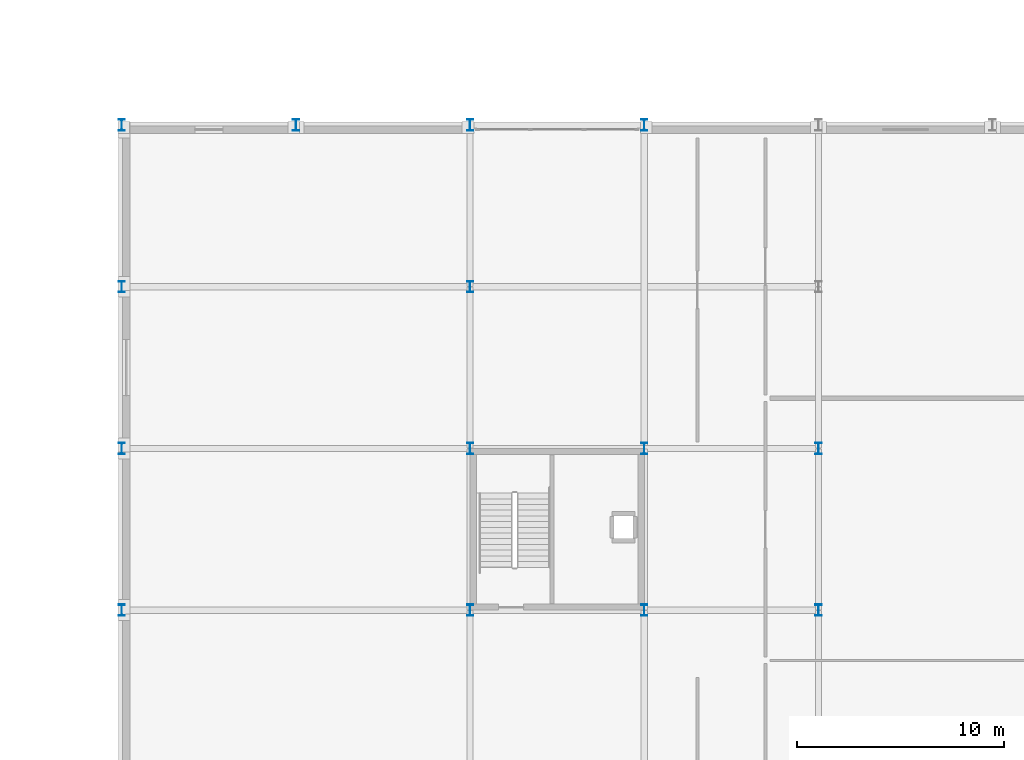
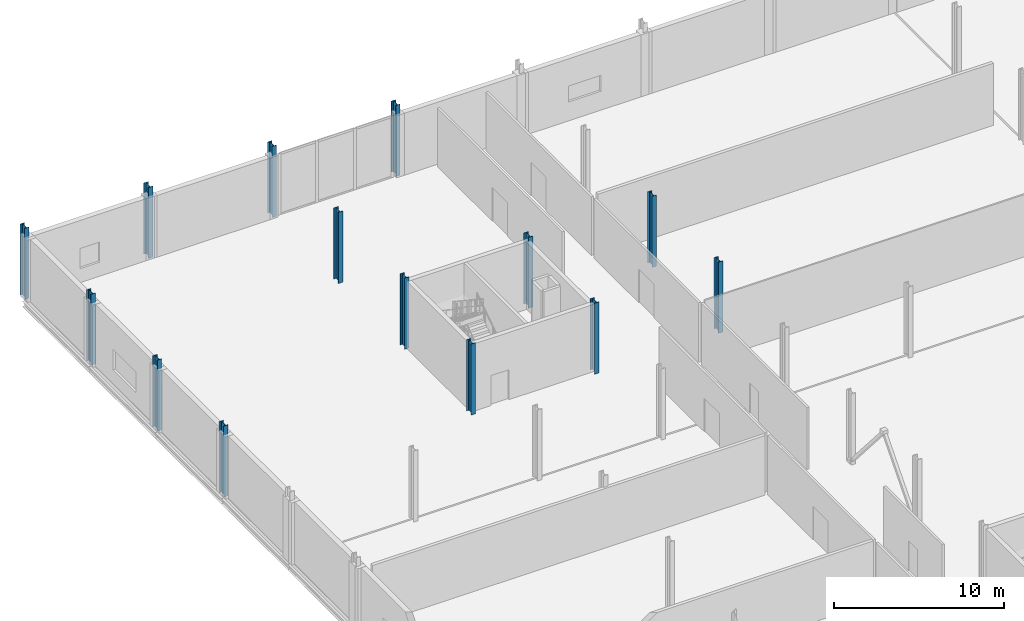
# One storey, part 10 of 105: 14 columns.
"""IFC4 building model written with IfcOpenShell, lengths in metres."""

from ifc_helpers import new_model, si_unit, direction, frame, origin, origin_2d, place, context, subcontext, project, spatial, i_section, extrude, material, material_profile, profile_set, type_object, element, save


model = new_model("IFC4")

# Units and contexts
model_context = context("Model", 3, precision=1e-05, world=origin(), true_north=direction((0.0, 1.0)))
body_context = subcontext(model_context, "Body", "Model", "MODEL_VIEW")
ifc_project = project(units=[si_unit("LENGTHUNIT", "METRE"), si_unit("AREAUNIT", "SQUARE_METRE"), si_unit("VOLUMEUNIT", "CUBIC_METRE"), si_unit("PLANEANGLEUNIT", "RADIAN"), si_unit("MASSUNIT", "GRAM", prefix="KILO")], contexts=[model_context])

# Site, building, storey
site_placement = place(None, origin())
site = spatial("IfcSite", under=ifc_project, at=site_placement, CompositionType="ELEMENT")
building_placement = place(site_placement, origin())
building = spatial("IfcBuilding", under=site, at=building_placement, Name="Nabrawat Pavilion Hospital", CompositionType="ELEMENT")
storey_placement = place(building_placement, frame((0.0, 0.0, 5.10009765625)))
storey = spatial("IfcBuildingStorey", under=building, at=storey_placement, Name="L01", CompositionType="ELEMENT", Elevation=5.10009765625)

# Columns
ifc_material = material(Name="Steel S355", Category="steel")
ifc_material_profile = material_profile(ifc_material, i_section(OverallWidth=0.300048828125, OverallDepth=0.550048828125, WebThickness=0.014892578125, FlangeThickness=0.029052734375, FilletRadius=0.027099609375, at=origin_2d()), Name="HEB 550")
ifc_profile_set = profile_set([ifc_material_profile], Name="Steel S355")
column_type = type_object("IfcColumnType", Name="Composite Steel Column HEB 550", PredefinedType="COLUMN", material=ifc_profile_set)
for number, where, z_axis, x_axis, name in (
    (1, (0.0, 93.60009765625, 0.0), (0.0, 0.0, 1.0), (1.0, 0.0, 0.0), "L01 Structural Column G-1-N"),
    (2, (0.0, 101.39990234375, 0.0), (0.0, 0.0, 1.0), (1.0, 0.0, 0.0), "L01 Structural Column G-1-P"),
    (3, (0.0, 109.199951171875, 0.0), (0.0, 0.0, 1.0), (1.0, 0.0, 0.0), "L01 Structural Column G-1-Q"),
    (4, (0.0, 117.0, 0.0), (0.0, 0.0, 1.0), (1.0, 0.0, 0.0), "L01 Structural Column G-1-R"),
    (5, (8.39990234375, 117.0, 0.0), (0.0, 0.0, 1.0), (1.0, 0.0, 0.0), "L01 Structural Column G-2-R"),
    (6, (16.800048828125, 93.60009765625, 0.0), (0.0, 0.0, 1.0), (1.0, 0.0, 0.0), "L01 Structural Column G-3-N"),
    (7, (16.800048828125, 101.39990234375, 0.0), (0.0, 0.0, 1.0), (1.0, 0.0, 0.0), "L01 Structural Column G-3-P"),
    (8, (16.800048828125, 109.199951171875, 0.0), (0.0, 0.0, 1.0), (1.0, 0.0, 0.0), "L01 Structural Column G-3-Q"),
    (9, (16.800048828125, 117.0, 0.0), (0.0, 0.0, 1.0), (1.0, 0.0, 0.0), "L01 Structural Column G-3-R"),
    (10, (25.199951171875, 93.60009765625, 0.0), (0.0, 0.0, 1.0), (1.0, 0.0, 0.0), "L01 Structural Column G-4-N"),
    (11, (25.199951171875, 101.39990234375, 0.0), (0.0, 0.0, 1.0), (1.0, 0.0, 0.0), "L01 Structural Column G-4-P"),
    (12, (25.199951171875, 117.0, 0.0), (0.0, 0.0, 1.0), (1.0, 0.0, 0.0), "L01 Structural Column G-4-R"),
    (13, (33.60009765625, 93.60009765625, 0.0), (0.0, 0.0, 1.0), (1.0, 0.0, 0.0), "L01 Structural Column G-5-N"),
    (14, (33.60009765625, 101.39990234375, 0.0), (0.0, 0.0, 1.0), (1.0, 0.0, 0.0), "L01 Structural Column G-5-P"),
):
    element("IfcColumn", number, at=place(storey_placement, frame(where, z_axis=z_axis, x_axis=x_axis)), inside=storey, type_object=column_type, Name=name, PredefinedType="COLUMN", context=body_context, shape_type="SweptSolid", body=[
        extrude(i_section(OverallWidth=0.300048828125, OverallDepth=0.550048828125, WebThickness=0.014892578125, FlangeThickness=0.029052734375, FilletRadius=0.027099609375, at=origin_2d()), origin(), (0.0, 0.0, 1.0), 5.099853515625),
    ])

save(model, "model.ifc")
